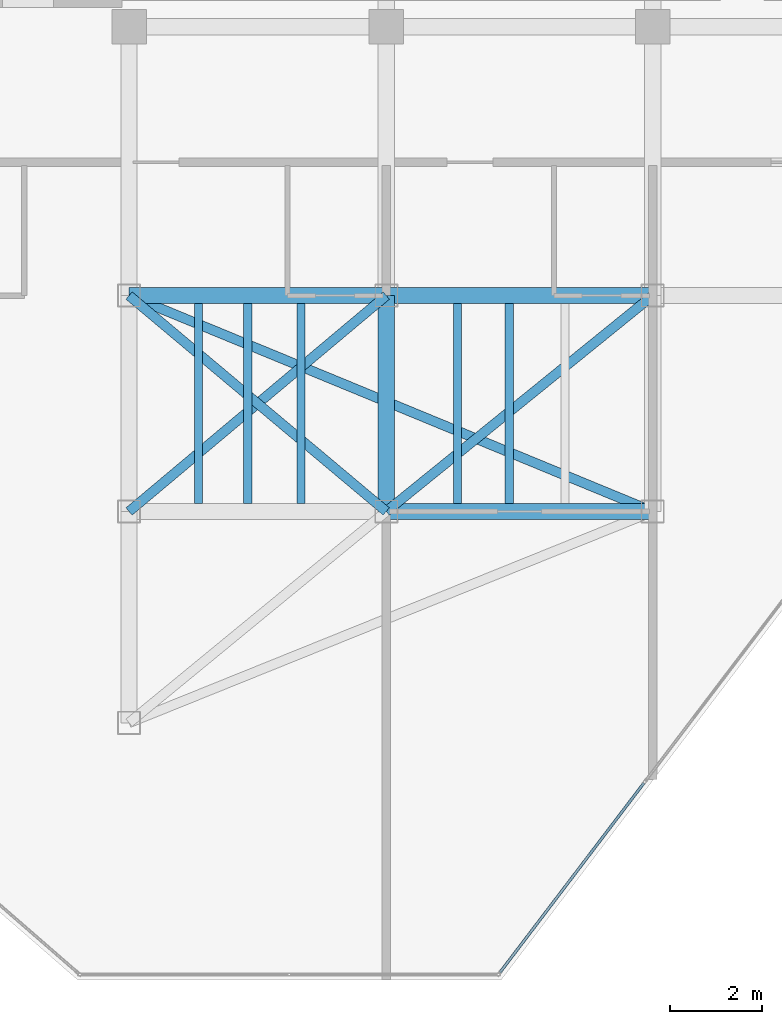
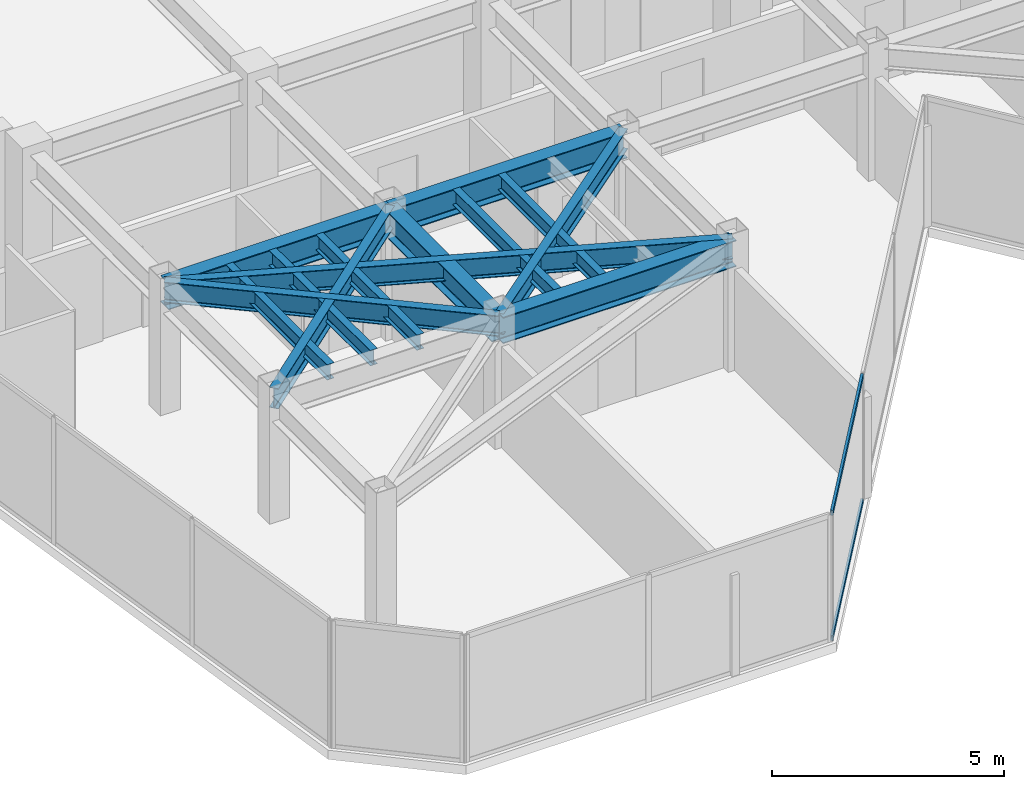
# One storey, part 6 of 20: 13 beams, 2 members, 1 element without a shape of its own.
"""IFC4 building model written with IfcOpenShell, lengths in metres."""

from ifc_helpers import new_model, si_unit, direction, frame, origin, origin_2d, place, context, subcontext, project, spatial, hollow_rectangle, i_section, extrude, material, layer, layer_set, material_profile, profile_set, type_object, element, aggregate, save


model = new_model("IFC4")

# Units and contexts
model_context = context("Model", 3, precision=1e-05, world=origin(), true_north=direction((0.0, 1.0)))
body_context = subcontext(model_context, "Body", "Model", "MODEL_VIEW")
ifc_project = project(units=[si_unit("LENGTHUNIT", "METRE"), si_unit("AREAUNIT", "SQUARE_METRE"), si_unit("VOLUMEUNIT", "CUBIC_METRE"), si_unit("PLANEANGLEUNIT", "RADIAN"), si_unit("MASSUNIT", "GRAM", prefix="KILO")], contexts=[model_context])

# Site, building, storey
site_placement = place(None, origin())
site = spatial("IfcSite", under=ifc_project, at=site_placement, CompositionType="ELEMENT")
building_placement = place(site_placement, origin())
building = spatial("IfcBuilding", under=site, at=building_placement, Name="Kravanh Interchange Tower", CompositionType="ELEMENT")
storey_placement = place(building_placement, frame((0.0, 0.0, 241.800048828125)))
storey = spatial("IfcBuildingStorey", under=building, at=storey_placement, Name="L58", CompositionType="ELEMENT", Elevation=241.800048828125)

# Curtain wall, members
ifc_material_1 = material(Name="Anodised Bronze Aluminium", Category="aluminium")
ifc_layer = layer(ifc_material_1, 0.179931640625)
ifc_layer_set = layer_set([ifc_layer], Name="Unitised Curtain Wall System CW-HTL Luxury Hotel")
curtain_wall_type = type_object("IfcCurtainWallType", Name="Unitised Curtain Wall System CW-HTL Luxury Hotel", PredefinedType="NOTDEFINED", material=ifc_layer_set)
curtain_wall_placement = place(storey_placement, origin())
curtain_wall = element("IfcCurtainWall", 1, at=curtain_wall_placement, inside=storey, type_object=curtain_wall_type, Name="L58 Unitised Curtain Wall CW-L58-05", PredefinedType="NOTDEFINED")
ifc_material_2 = material(Name="Anodised Bronze Aluminium", Category="aluminium")
ifc_material_profile_1 = material_profile(ifc_material_2, hollow_rectangle(XDim=0.06005859375, YDim=0.139892578125, WallThickness=0.00390625, at=origin_2d()), Name="ALU60X140X4")
ifc_profile_set_1 = profile_set([ifc_material_profile_1], Name="Anodised Bronze Aluminium")
member_type = type_object("IfcMemberType", Name="Curtain Wall Transom ALU60X140X4 Bronze", PredefinedType="USERDEFINED", material=ifc_profile_set_1)
member_1_placement = place(storey_placement, frame((38.408935546875, 20.888916015625, 0.030029296875), z_axis=(-0.605089246946, -0.796157649734, 0.0), x_axis=(0.796157649734, -0.605089246946, 0.0)))
member_1 = element("IfcMember", 2, at=member_1_placement, type_object=member_type, Name="CW-HTL transom 3.1", ObjectType="TRANSOM", PredefinedType="USERDEFINED", context=body_context, shape_type="SweptSolid", body=[
    extrude(hollow_rectangle(XDim=0.06005859375, YDim=0.139892578125, WallThickness=0.00390625, at=origin_2d()), origin(), (0.0, 0.0, 1.0), 5.17626953125),
])
member_2_placement = place(storey_placement, frame((38.408935546875, 20.888916015625, 3.320068359375), z_axis=(-0.605089246946, -0.796157649734, 0.0), x_axis=(0.796157649734, -0.605089246946, 0.0)))
member_2 = element("IfcMember", 3, at=member_2_placement, type_object=member_type, Name="CW-HTL transom 3.2", ObjectType="TRANSOM", PredefinedType="USERDEFINED", context=body_context, shape_type="SweptSolid", body=[
    extrude(hollow_rectangle(XDim=0.06005859375, YDim=0.139892578125, WallThickness=0.00390625, at=origin_2d()), origin(), (0.0, 0.0, 1.0), 5.17626953125),
])
aggregate(curtain_wall, [member_1, member_2])

# Beams
ifc_material_3 = material(Name="Structural Steel S355", Category="steel")
ifc_material_profile_2 = material_profile(ifc_material_3, i_section(OverallWidth=0.35498046875, OverallDepth=0.696044921875, WebThickness=0.015380859375, FlangeThickness=0.02490234375, FilletRadius=0.02392578125, at=origin_2d()), Name="W27X146")
ifc_profile_set_2 = profile_set([ifc_material_profile_2], Name="Structural Steel S355")
beam_type_1 = type_object("IfcBeamType", Name="Floor Beam W27X146 Structural Steel S355", PredefinedType="BEAM", material=ifc_profile_set_2)
beam_1_placement = place(storey_placement, frame((38.60009765625, 31.5, 3.001953125), z_axis=(-1.0, 0.0, 0.0), x_axis=(0.0, -1.0, 0.0)))
element("IfcBeam", 4, at=beam_1_placement, inside=storey, type_object=beam_type_1, Name="L58 Primary Floor Girder 18", PredefinedType="BEAM", context=body_context, shape_type="SweptSolid", body=[
    extrude(i_section(OverallWidth=0.35498046875, OverallDepth=0.696044921875, WebThickness=0.015380859375, FlangeThickness=0.02490234375, FilletRadius=0.02392578125, at=origin_2d()), origin(), (0.0, 0.0, 1.0), 5.800048828125),
])
beam_2_placement = place(storey_placement, frame((32.800048828125, 31.5, 3.001953125), z_axis=(0.0, -1.0, 0.0), x_axis=(1.0, 0.0, 0.0)))
element("IfcBeam", 5, at=beam_2_placement, inside=storey, type_object=beam_type_1, Name="L58 Primary Floor Girder 21", PredefinedType="BEAM", context=body_context, shape_type="SweptSolid", body=[
    extrude(i_section(OverallWidth=0.35498046875, OverallDepth=0.696044921875, WebThickness=0.015380859375, FlangeThickness=0.02490234375, FilletRadius=0.02392578125, at=origin_2d()), origin(), (0.0, 0.0, 1.0), 4.699951171875),
])
beam_3_placement = place(storey_placement, frame((32.800048828125, 31.5, 3.001953125), z_axis=(-1.0, 0.0, 0.0), x_axis=(0.0, -1.0, 0.0)))
element("IfcBeam", 6, at=beam_3_placement, inside=storey, type_object=beam_type_1, Name="L58 Primary Floor Girder 22", PredefinedType="BEAM", context=body_context, shape_type="SweptSolid", body=[
    extrude(i_section(OverallWidth=0.35498046875, OverallDepth=0.696044921875, WebThickness=0.015380859375, FlangeThickness=0.02490234375, FilletRadius=0.02392578125, at=origin_2d()), origin(), (0.0, 0.0, 1.0), 5.60009765625),
])
beam_4_placement = place(storey_placement, frame((38.60009765625, 26.800048828125, 3.001953125), z_axis=(-1.0, 0.0, 0.0), x_axis=(0.0, -1.0, 0.0)))
element("IfcBeam", 7, at=beam_4_placement, inside=storey, type_object=beam_type_1, Name="L58 Primary Floor Girder 29", PredefinedType="BEAM", context=body_context, shape_type="SweptSolid", body=[
    extrude(i_section(OverallWidth=0.35498046875, OverallDepth=0.696044921875, WebThickness=0.015380859375, FlangeThickness=0.02490234375, FilletRadius=0.02392578125, at=origin_2d()), origin(), (0.0, 0.0, 1.0), 5.800048828125),
])
ifc_material_4 = material(Name="Structural Steel S355", Category="steel")
ifc_material_profile_3 = material_profile(ifc_material_4, i_section(OverallWidth=0.177978515625, OverallDepth=0.406005859375, WebThickness=0.0078125, FlangeThickness=0.0126953125, FilletRadius=0.01611328125, at=origin_2d()), Name="W16X40")
ifc_profile_set_3 = profile_set([ifc_material_profile_3], Name="Structural Steel S355")
beam_type_2 = type_object("IfcBeamType", Name="Floor Joist W16X40 Structural Steel S355", PredefinedType="JOIST", material=ifc_profile_set_3)
for number, where, z_axis, x_axis, name in (
    (8, (28.7099609375, 26.972412109375, 3.14697265625), (0.0, 1.0, 0.0), (-1.0, 0.0, 0.0), "L58 Secondary Floor Joist 4"),
    (9, (29.784912109375, 26.972412109375, 3.14697265625), (0.0, 1.0, 0.0), (-1.0, 0.0, 0.0), "L58 Secondary Floor Joist 5"),
    (10, (30.946044921875, 26.972412109375, 3.14697265625), (0.0, 1.0, 0.0), (-1.0, 0.0, 0.0), "L58 Secondary Floor Joist 6"),
    (11, (34.35009765625, 26.972412109375, 3.14697265625), (0.0, 1.0, 0.0), (-1.0, 0.0, 0.0), "L58 Secondary Floor Joist 7"),
    (12, (35.47509765625, 26.972412109375, 3.14697265625), (0.0, 1.0, 0.0), (-1.0, 0.0, 0.0), "L58 Secondary Floor Joist 8"),
):
    element("IfcBeam", number, at=place(storey_placement, frame(where, z_axis=z_axis, x_axis=x_axis)), inside=storey, type_object=beam_type_2, Name=name, PredefinedType="JOIST", context=body_context, shape_type="SweptSolid", body=[
        extrude(i_section(OverallWidth=0.177978515625, OverallDepth=0.406005859375, WebThickness=0.0078125, FlangeThickness=0.0126953125, FilletRadius=0.01611328125, at=origin_2d()), origin(), (0.0, 0.0, 1.0), 4.35498046875),
    ])
ifc_material_5 = material(Name="Structural Steel S355", Category="steel")
ifc_material_profile_4 = material_profile(ifc_material_5, i_section(OverallWidth=0.2099609375, OverallDepth=0.537109375, WebThickness=0.010986328125, FlangeThickness=0.017333984375, FilletRadius=0.02001953125, at=origin_2d()), Name="W21X68")
ifc_profile_set_4 = profile_set([ifc_material_profile_4], Name="Structural Steel S355")
beam_type_3 = type_object("IfcBeamType", Name="Floor Spandrel W21X68 Structural Steel S355", PredefinedType="SPANDREL", material=ifc_profile_set_4)
beam_5_placement = place(storey_placement, frame((38.60009765625, 31.5, 3.08154296875), z_axis=(-0.776938619557, -0.629576350764, 0.0), x_axis=(0.629576350764, -0.776938619557, 0.0)))
element("IfcBeam", 13, at=beam_5_placement, inside=storey, type_object=beam_type_3, Name="L58 Perimeter Spandrel 20", PredefinedType="SPANDREL", context=body_context, shape_type="SweptSolid", body=[
    extrude(i_section(OverallWidth=0.2099609375, OverallDepth=0.537109375, WebThickness=0.010986328125, FlangeThickness=0.017333984375, FilletRadius=0.02001953125, at=origin_2d()), origin(), (0.0, 0.0, 1.0), 7.46533203125),
])
for number, where, z_axis, x_axis, name in (
    (14, (32.800048828125, 31.5, 3.08154296875), (-0.765983062929, -0.642860752657, 0.0), (0.642860752657, -0.765983062929, 0.0), "L58 Perimeter Spandrel 24"),
    (15, (27.199951171875, 31.5, 3.08154296875), (0.765983062929, -0.642860752657, 0.0), (0.642860752657, 0.765983062929, 0.0), "L58 Perimeter Spandrel 27"),
):
    element("IfcBeam", number, at=place(storey_placement, frame(where, z_axis=z_axis, x_axis=x_axis)), inside=storey, type_object=beam_type_3, Name=name, PredefinedType="SPANDREL", context=body_context, shape_type="SweptSolid", body=[
        extrude(i_section(OverallWidth=0.2099609375, OverallDepth=0.537109375, WebThickness=0.010986328125, FlangeThickness=0.017333984375, FilletRadius=0.02001953125, at=origin_2d()), origin(), (0.0, 0.0, 1.0), 7.31103515625),
    ])
beam_6_placement = place(storey_placement, frame((27.199951171875, 31.5, 3.08154296875), z_axis=(0.924513176562, -0.381150083778, 0.0), x_axis=(0.381150083778, 0.924513176562, 0.0)))
element("IfcBeam", 16, at=beam_6_placement, inside=storey, type_object=beam_type_3, Name="L58 Perimeter Spandrel 28", PredefinedType="SPANDREL", context=body_context, shape_type="SweptSolid", body=[
    extrude(i_section(OverallWidth=0.2099609375, OverallDepth=0.537109375, WebThickness=0.010986328125, FlangeThickness=0.017333984375, FilletRadius=0.02001953125, at=origin_2d()), origin(), (0.0, 0.0, 1.0), 12.3310546875),
])

save(model, "model.ifc")
